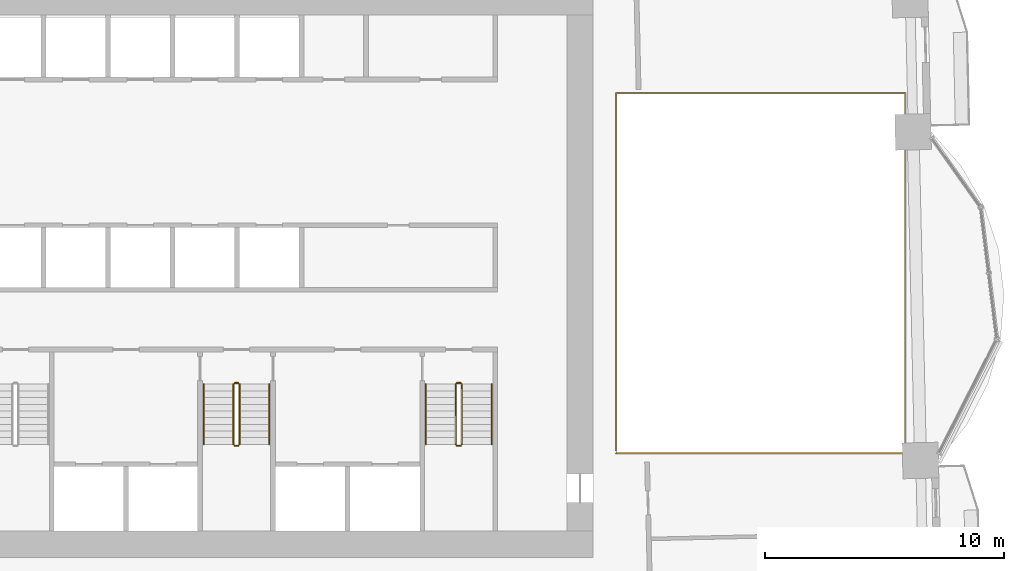
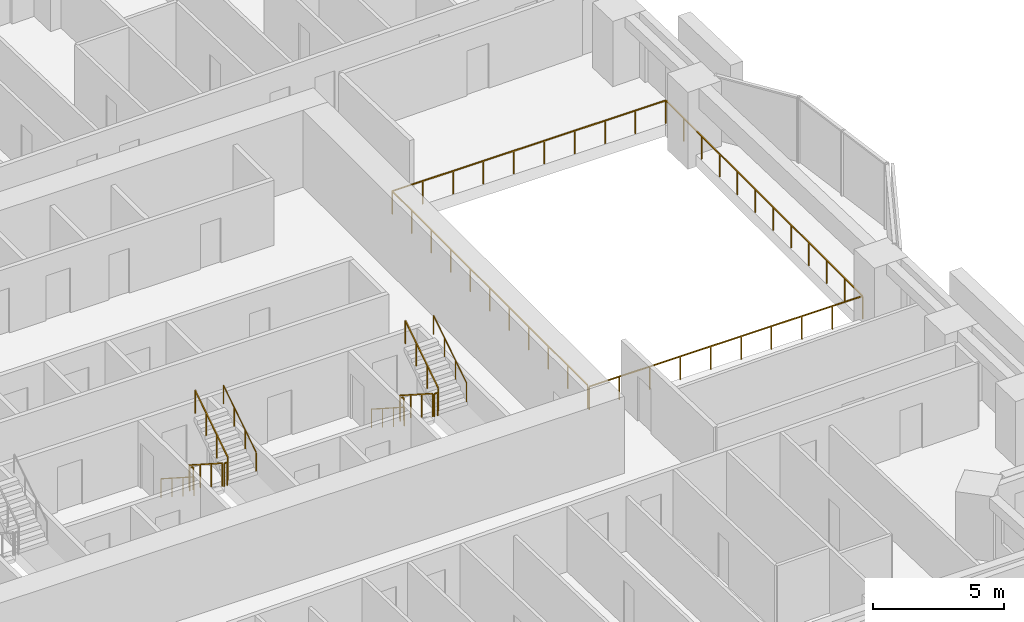
# One storey, part 15 of 16: 13 railings.
"""IFC4 building model written with IfcOpenShell, lengths in metres."""

from ifc_helpers import new_model, si_unit, direction, frame, origin, origin_2d, place, context, subcontext, project, spatial, rectangle, circle, extrude, material, type_object, element, save


model = new_model("IFC4")

# Units and contexts
model_context = context("Model", 3, precision=1e-05, world=origin(), true_north=direction((0.0, 1.0)))
body_context = subcontext(model_context, "Body", "Model", "MODEL_VIEW")
ifc_project = project(units=[si_unit("LENGTHUNIT", "METRE"), si_unit("AREAUNIT", "SQUARE_METRE"), si_unit("VOLUMEUNIT", "CUBIC_METRE"), si_unit("PLANEANGLEUNIT", "RADIAN"), si_unit("MASSUNIT", "GRAM", prefix="KILO")], contexts=[model_context])

# Site, building, storey
site_placement = place(None, origin())
site = spatial("IfcSite", under=ifc_project, at=site_placement, CompositionType="ELEMENT")
building_placement = place(site_placement, origin())
building = spatial("IfcBuilding", under=site, at=building_placement, Name="Mangrove Gate Tower", CompositionType="ELEMENT")
storey_placement = place(building_placement, frame((0.0, 0.0, 48.5)))
storey = spatial("IfcBuildingStorey", under=building, at=storey_placement, Name="L11", CompositionType="ELEMENT", Elevation=48.5)

# Railings
ifc_material_1 = material(Name="Stainless steel grade 316 with laminated glass infill", Category="steel")
railing_type_1 = type_object("IfcRailingType", Name="Balcony guard 1100", PredefinedType="GUARDRAIL", material=ifc_material_1)
railing_1_placement = place(storey_placement, frame((15.860107421875, -7.5400390625, 0.0)))
element("IfcRailing", 1, at=railing_1_placement, inside=storey, type_object=railing_type_1, Name="GUARD L11 atrium", PredefinedType="GUARDRAIL", context=body_context, shape_type="SweptSolid", body=[
    extrude(rectangle(XDim=0.048095703125, YDim=0.048095703125, at=origin_2d()), frame((0.0, 0.0, 1.076171875), z_axis=(1.0, 0.0, 0.0), x_axis=(0.0, 1.0, 0.0)), (0.0, 0.0, 1.0), 12.101806640625),
    extrude(rectangle(XDim=0.048095703125, YDim=0.048095703125, at=origin_2d()), frame((12.101806640625, 0.0, 1.076171875), z_axis=(0.0, 1.0, 0.0), x_axis=(-1.0, 0.0, 0.0)), (0.0, 0.0, 1.0), 15.080078125),
    extrude(rectangle(XDim=0.048095703125, YDim=0.048095703125, at=origin_2d()), frame((12.101806640625, 15.080078125, 1.076171875), z_axis=(-1.0, 0.0, 0.0), x_axis=(0.0, -1.0, 0.0)), (0.0, 0.0, 1.0), 12.101806640625),
    extrude(rectangle(XDim=0.048095703125, YDim=0.048095703125, at=origin_2d()), frame((0.0, 15.080078125, 1.076171875), z_axis=(0.0, -1.0, 0.0), x_axis=(1.0, 0.0, 0.0)), (0.0, 0.0, 1.0), 14.9599609375),
    extrude(rectangle(XDim=0.0419921875, YDim=0.0419921875, at=origin_2d()), origin(), (0.0, 0.0, 1.0), 1.052001953125),
    extrude(rectangle(XDim=0.0419921875, YDim=0.0419921875, at=origin_2d()), frame((1.3447265625, 0.0, 0.0)), (0.0, 0.0, 1.0), 1.052001953125),
    extrude(rectangle(XDim=0.0419921875, YDim=0.0419921875, at=origin_2d()), frame((2.689208984375, 0.0, 0.0)), (0.0, 0.0, 1.0), 1.052001953125),
    extrude(rectangle(XDim=0.0419921875, YDim=0.0419921875, at=origin_2d()), frame((4.033935546875, 0.0, 0.0)), (0.0, 0.0, 1.0), 1.052001953125),
    extrude(rectangle(XDim=0.0419921875, YDim=0.0419921875, at=origin_2d()), frame((5.378662109375, 0.0, 0.0)), (0.0, 0.0, 1.0), 1.052001953125),
    extrude(rectangle(XDim=0.0419921875, YDim=0.0419921875, at=origin_2d()), frame((6.72314453125, 0.0, 0.0)), (0.0, 0.0, 1.0), 1.052001953125),
    extrude(rectangle(XDim=0.0419921875, YDim=0.0419921875, at=origin_2d()), frame((8.06787109375, 0.0, 0.0)), (0.0, 0.0, 1.0), 1.052001953125),
    extrude(rectangle(XDim=0.0419921875, YDim=0.0419921875, at=origin_2d()), frame((9.41259765625, 0.0, 0.0)), (0.0, 0.0, 1.0), 1.052001953125),
    extrude(rectangle(XDim=0.0419921875, YDim=0.0419921875, at=origin_2d()), frame((10.757080078125, 0.0, 0.0)), (0.0, 0.0, 1.0), 1.052001953125),
    extrude(rectangle(XDim=0.0419921875, YDim=0.0419921875, at=origin_2d()), frame((12.101806640625, 0.0, 0.0)), (0.0, 0.0, 1.0), 1.052001953125),
    extrude(rectangle(XDim=0.0419921875, YDim=0.0419921875, at=origin_2d()), frame((12.101806640625, 1.370849609375, 0.0)), (0.0, 0.0, 1.0), 1.052001953125),
    extrude(rectangle(XDim=0.0419921875, YDim=0.0419921875, at=origin_2d()), frame((12.101806640625, 2.741943359375, 0.0)), (0.0, 0.0, 1.0), 1.052001953125),
    extrude(rectangle(XDim=0.0419921875, YDim=0.0419921875, at=origin_2d()), frame((12.101806640625, 4.11279296875, 0.0)), (0.0, 0.0, 1.0), 1.052001953125),
    extrude(rectangle(XDim=0.0419921875, YDim=0.0419921875, at=origin_2d()), frame((12.101806640625, 5.483642578125, 0.0)), (0.0, 0.0, 1.0), 1.052001953125),
    extrude(rectangle(XDim=0.0419921875, YDim=0.0419921875, at=origin_2d()), frame((12.101806640625, 6.8544921875, 0.0)), (0.0, 0.0, 1.0), 1.052001953125),
    extrude(rectangle(XDim=0.0419921875, YDim=0.0419921875, at=origin_2d()), frame((12.101806640625, 8.2255859375, 0.0)), (0.0, 0.0, 1.0), 1.052001953125),
    extrude(rectangle(XDim=0.0419921875, YDim=0.0419921875, at=origin_2d()), frame((12.101806640625, 9.596435546875, 0.0)), (0.0, 0.0, 1.0), 1.052001953125),
    extrude(rectangle(XDim=0.0419921875, YDim=0.0419921875, at=origin_2d()), frame((12.101806640625, 10.96728515625, 0.0)), (0.0, 0.0, 1.0), 1.052001953125),
    extrude(rectangle(XDim=0.0419921875, YDim=0.0419921875, at=origin_2d()), frame((12.101806640625, 12.338134765625, 0.0)), (0.0, 0.0, 1.0), 1.052001953125),
    extrude(rectangle(XDim=0.0419921875, YDim=0.0419921875, at=origin_2d()), frame((12.101806640625, 13.709228515625, 0.0)), (0.0, 0.0, 1.0), 1.052001953125),
    extrude(rectangle(XDim=0.0419921875, YDim=0.0419921875, at=origin_2d()), frame((12.101806640625, 15.080078125, 0.0)), (0.0, 0.0, 1.0), 1.052001953125),
    extrude(rectangle(XDim=0.0419921875, YDim=0.0419921875, at=origin_2d()), frame((10.757080078125, 15.080078125, 0.0)), (0.0, 0.0, 1.0), 1.052001953125),
    extrude(rectangle(XDim=0.0419921875, YDim=0.0419921875, at=origin_2d()), frame((9.41259765625, 15.080078125, 0.0)), (0.0, 0.0, 1.0), 1.052001953125),
    extrude(rectangle(XDim=0.0419921875, YDim=0.0419921875, at=origin_2d()), frame((8.06787109375, 15.080078125, 0.0)), (0.0, 0.0, 1.0), 1.052001953125),
    extrude(rectangle(XDim=0.0419921875, YDim=0.0419921875, at=origin_2d()), frame((6.72314453125, 15.080078125, 0.0)), (0.0, 0.0, 1.0), 1.052001953125),
    extrude(rectangle(XDim=0.0419921875, YDim=0.0419921875, at=origin_2d()), frame((5.378662109375, 15.080078125, 0.0)), (0.0, 0.0, 1.0), 1.052001953125),
    extrude(rectangle(XDim=0.0419921875, YDim=0.0419921875, at=origin_2d()), frame((4.033935546875, 15.080078125, 0.0)), (0.0, 0.0, 1.0), 1.052001953125),
    extrude(rectangle(XDim=0.0419921875, YDim=0.0419921875, at=origin_2d()), frame((2.689208984375, 15.080078125, 0.0)), (0.0, 0.0, 1.0), 1.052001953125),
    extrude(rectangle(XDim=0.0419921875, YDim=0.0419921875, at=origin_2d()), frame((1.3447265625, 15.080078125, 0.0)), (0.0, 0.0, 1.0), 1.052001953125),
    extrude(rectangle(XDim=0.0419921875, YDim=0.0419921875, at=origin_2d()), frame((0.0, 15.080078125, 0.0)), (0.0, 0.0, 1.0), 1.052001953125),
    extrude(rectangle(XDim=0.0419921875, YDim=0.0419921875, at=origin_2d()), frame((0.0, 13.583984375, 0.0)), (0.0, 0.0, 1.0), 1.052001953125),
    extrude(rectangle(XDim=0.0419921875, YDim=0.0419921875, at=origin_2d()), frame((0.0, 12.088134765625, 0.0)), (0.0, 0.0, 1.0), 1.052001953125),
    extrude(rectangle(XDim=0.0419921875, YDim=0.0419921875, at=origin_2d()), frame((0.0, 10.592041015625, 0.0)), (0.0, 0.0, 1.0), 1.052001953125),
    extrude(rectangle(XDim=0.0419921875, YDim=0.0419921875, at=origin_2d()), frame((0.0, 9.09619140625, 0.0)), (0.0, 0.0, 1.0), 1.052001953125),
    extrude(rectangle(XDim=0.0419921875, YDim=0.0419921875, at=origin_2d()), frame((0.0, 7.60009765625, 0.0)), (0.0, 0.0, 1.0), 1.052001953125),
    extrude(rectangle(XDim=0.0419921875, YDim=0.0419921875, at=origin_2d()), frame((0.0, 6.10400390625, 0.0)), (0.0, 0.0, 1.0), 1.052001953125),
    extrude(rectangle(XDim=0.0419921875, YDim=0.0419921875, at=origin_2d()), frame((0.0, 4.608154296875, 0.0)), (0.0, 0.0, 1.0), 1.052001953125),
    extrude(rectangle(XDim=0.0419921875, YDim=0.0419921875, at=origin_2d()), frame((0.0, 3.112060546875, 0.0)), (0.0, 0.0, 1.0), 1.052001953125),
    extrude(rectangle(XDim=0.0419921875, YDim=0.0419921875, at=origin_2d()), frame((0.0, 1.6162109375, 0.0)), (0.0, 0.0, 1.0), 1.052001953125),
    extrude(rectangle(XDim=0.0419921875, YDim=0.0419921875, at=origin_2d()), frame((0.0, 0.1201171875, 0.0)), (0.0, 0.0, 1.0), 1.052001953125),
])
ifc_material_2 = material(Name="Stainless steel 316", Category="steel")
railing_type_2 = type_object("IfcRailingType", Name="Core stair guard 1100", PredefinedType="GUARDRAIL", material=ifc_material_2)
railing_2_placement = place(storey_placement, frame((-0.14990234375, -4.64990234375, 0.179931640625)))
element("IfcRailing", 2, at=railing_2_placement, inside=storey, type_object=railing_type_2, Name="L11 ST2 stair guard 1", PredefinedType="GUARDRAIL", context=body_context, shape_type="SweptSolid", body=[
    extrude(rectangle(XDim=0.048095703125, YDim=0.048095703125, at=origin_2d()), frame((0.0, 0.0, 1.076171875), z_axis=(0.0, -0.841162588446, 0.540782303519), x_axis=(1.0, 0.0, 0.0)), (0.0, 0.0, 1.0), 2.995849609375),
    extrude(rectangle(XDim=0.0419921875, YDim=0.0419921875, at=origin_2d()), origin(), (0.0, 0.0, 1.0), 1.052001953125),
    extrude(rectangle(XDim=0.0419921875, YDim=0.0419921875, at=origin_2d()), frame((0.0, -0.840087890625, 0.5400390625)), (0.0, 0.0, 1.0), 1.052001953125),
    extrude(rectangle(XDim=0.0419921875, YDim=0.0419921875, at=origin_2d()), frame((0.0, -1.679931640625, 1.080078125)), (0.0, 0.0, 1.0), 1.052001953125),
    extrude(rectangle(XDim=0.0419921875, YDim=0.0419921875, at=origin_2d()), frame((0.0, -2.52001953125, 1.6201171875)), (0.0, 0.0, 1.0), 1.052001953125),
])
railing_3_placement = place(storey_placement, frame((-0.10009765625, -7.219970703125, 1.800048828125)))
element("IfcRailing", 3, at=railing_3_placement, inside=storey, type_object=railing_type_2, Name="L11 ST2 stair guard 2", PredefinedType="GUARDRAIL", context=body_context, shape_type="SweptSolid", body=[
    extrude(rectangle(XDim=0.048095703125, YDim=0.048095703125, at=origin_2d()), frame((0.0, 0.0, 1.076171875), z_axis=(1.0, 0.0, 0.0), x_axis=(0.0, 1.0, 0.0)), (0.0, 0.0, 1.0), 0.150146484375),
    extrude(rectangle(XDim=0.0419921875, YDim=0.0419921875, at=origin_2d()), origin(), (0.0, 0.0, 1.0), 1.052001953125),
    extrude(rectangle(XDim=0.0419921875, YDim=0.0419921875, at=origin_2d()), frame((0.150146484375, 0.0, 0.0)), (0.0, 0.0, 1.0), 1.052001953125),
])
railing_4_placement = place(storey_placement, frame((0.10009765625, -7.169921875, 1.97998046875)))
element("IfcRailing", 4, at=railing_4_placement, inside=storey, type_object=railing_type_2, Name="L11 ST2 stair guard 3", PredefinedType="GUARDRAIL", context=body_context, shape_type="SweptSolid", body=[
    extrude(rectangle(XDim=0.048095703125, YDim=0.048095703125, at=origin_2d()), frame((0.0, 0.0, 1.076171875), z_axis=(0.0, 0.841162588446, 0.540782303519), x_axis=(-1.0, 0.0, 0.0)), (0.0, 0.0, 1.0), 2.995849609375),
    extrude(rectangle(XDim=0.0419921875, YDim=0.0419921875, at=origin_2d()), origin(), (0.0, 0.0, 1.0), 1.052001953125),
    extrude(rectangle(XDim=0.0419921875, YDim=0.0419921875, at=origin_2d()), frame((0.0, 0.840087890625, 0.5400390625)), (0.0, 0.0, 1.0), 1.052001953125),
    extrude(rectangle(XDim=0.0419921875, YDim=0.0419921875, at=origin_2d()), frame((0.0, 1.679931640625, 1.080078125)), (0.0, 0.0, 1.0), 1.052001953125),
    extrude(rectangle(XDim=0.0419921875, YDim=0.0419921875, at=origin_2d()), frame((0.0, 2.52001953125, 1.6201171875)), (0.0, 0.0, 1.0), 1.052001953125),
])
railing_5_placement = place(storey_placement, frame((-0.10009765625, -4.60009765625, 0.0)))
element("IfcRailing", 5, at=railing_5_placement, inside=storey, type_object=railing_type_2, Name="L11 ST2 stair guard 4", PredefinedType="GUARDRAIL", context=body_context, shape_type="SweptSolid", body=[
    extrude(rectangle(XDim=0.048095703125, YDim=0.048095703125, at=origin_2d()), frame((0.0, 0.0, 1.076171875), z_axis=(1.0, 0.0, 0.0), x_axis=(0.0, 1.0, 0.0)), (0.0, 0.0, 1.0), 0.150146484375),
    extrude(rectangle(XDim=0.0419921875, YDim=0.0419921875, at=origin_2d()), origin(), (0.0, 0.0, 1.0), 1.052001953125),
    extrude(rectangle(XDim=0.0419921875, YDim=0.0419921875, at=origin_2d()), frame((0.150146484375, 0.0, 0.0)), (0.0, 0.0, 1.0), 1.052001953125),
])
railing_6_placement = place(storey_placement, frame((9.14990234375, -4.64990234375, 0.179931640625)))
element("IfcRailing", 6, at=railing_6_placement, inside=storey, type_object=railing_type_2, Name="L11 ST3 stair guard 1", PredefinedType="GUARDRAIL", context=body_context, shape_type="SweptSolid", body=[
    extrude(rectangle(XDim=0.048095703125, YDim=0.048095703125, at=origin_2d()), frame((0.0, 0.0, 1.076171875), z_axis=(0.0, -0.841162588446, 0.540782303519), x_axis=(1.0, 0.0, 0.0)), (0.0, 0.0, 1.0), 2.995849609375),
    extrude(rectangle(XDim=0.0419921875, YDim=0.0419921875, at=origin_2d()), origin(), (0.0, 0.0, 1.0), 1.052001953125),
    extrude(rectangle(XDim=0.0419921875, YDim=0.0419921875, at=origin_2d()), frame((0.0, -0.840087890625, 0.5400390625)), (0.0, 0.0, 1.0), 1.052001953125),
    extrude(rectangle(XDim=0.0419921875, YDim=0.0419921875, at=origin_2d()), frame((0.0, -1.679931640625, 1.080078125)), (0.0, 0.0, 1.0), 1.052001953125),
    extrude(rectangle(XDim=0.0419921875, YDim=0.0419921875, at=origin_2d()), frame((0.0, -2.52001953125, 1.6201171875)), (0.0, 0.0, 1.0), 1.052001953125),
])
railing_7_placement = place(storey_placement, frame((9.199951171875, -7.219970703125, 1.800048828125)))
element("IfcRailing", 7, at=railing_7_placement, inside=storey, type_object=railing_type_2, Name="L11 ST3 stair guard 2", PredefinedType="GUARDRAIL", context=body_context, shape_type="SweptSolid", body=[
    extrude(rectangle(XDim=0.048095703125, YDim=0.048095703125, at=origin_2d()), frame((0.0, 0.0, 1.076171875), z_axis=(1.0, 0.0, 0.0), x_axis=(0.0, 1.0, 0.0)), (0.0, 0.0, 1.0), 0.150146484375),
    extrude(rectangle(XDim=0.0419921875, YDim=0.0419921875, at=origin_2d()), origin(), (0.0, 0.0, 1.0), 1.052001953125),
    extrude(rectangle(XDim=0.0419921875, YDim=0.0419921875, at=origin_2d()), frame((0.150146484375, 0.0, 0.0)), (0.0, 0.0, 1.0), 1.052001953125),
])
railing_8_placement = place(storey_placement, frame((9.39990234375, -7.169921875, 1.97998046875)))
element("IfcRailing", 8, at=railing_8_placement, inside=storey, type_object=railing_type_2, Name="L11 ST3 stair guard 3", PredefinedType="GUARDRAIL", context=body_context, shape_type="SweptSolid", body=[
    extrude(rectangle(XDim=0.048095703125, YDim=0.048095703125, at=origin_2d()), frame((0.0, 0.0, 1.076171875), z_axis=(0.0, 0.841162588446, 0.540782303519), x_axis=(-1.0, 0.0, 0.0)), (0.0, 0.0, 1.0), 2.995849609375),
    extrude(rectangle(XDim=0.0419921875, YDim=0.0419921875, at=origin_2d()), origin(), (0.0, 0.0, 1.0), 1.052001953125),
    extrude(rectangle(XDim=0.0419921875, YDim=0.0419921875, at=origin_2d()), frame((0.0, 0.840087890625, 0.5400390625)), (0.0, 0.0, 1.0), 1.052001953125),
    extrude(rectangle(XDim=0.0419921875, YDim=0.0419921875, at=origin_2d()), frame((0.0, 1.679931640625, 1.080078125)), (0.0, 0.0, 1.0), 1.052001953125),
    extrude(rectangle(XDim=0.0419921875, YDim=0.0419921875, at=origin_2d()), frame((0.0, 2.52001953125, 1.6201171875)), (0.0, 0.0, 1.0), 1.052001953125),
])
railing_9_placement = place(storey_placement, frame((9.199951171875, -4.60009765625, 0.0)))
element("IfcRailing", 9, at=railing_9_placement, inside=storey, type_object=railing_type_2, Name="L11 ST3 stair guard 4", PredefinedType="GUARDRAIL", context=body_context, shape_type="SweptSolid", body=[
    extrude(rectangle(XDim=0.048095703125, YDim=0.048095703125, at=origin_2d()), frame((0.0, 0.0, 1.076171875), z_axis=(1.0, 0.0, 0.0), x_axis=(0.0, 1.0, 0.0)), (0.0, 0.0, 1.0), 0.150146484375),
    extrude(rectangle(XDim=0.0419921875, YDim=0.0419921875, at=origin_2d()), origin(), (0.0, 0.0, 1.0), 1.052001953125),
    extrude(rectangle(XDim=0.0419921875, YDim=0.0419921875, at=origin_2d()), frame((0.150146484375, 0.0, 0.0)), (0.0, 0.0, 1.0), 1.052001953125),
])
ifc_material_3 = material(Name="Stainless steel 316", Category="steel")
railing_type_3 = type_object("IfcRailingType", Name="Core stair handrail 900", PredefinedType="HANDRAIL", material=ifc_material_3)
railing_10_placement = place(storey_placement, frame((-1.39990234375, -4.64990234375, 0.179931640625)))
element("IfcRailing", 10, at=railing_10_placement, inside=storey, type_object=railing_type_3, Name="L11 ST2 stair handrail 1", PredefinedType="HANDRAIL", context=body_context, shape_type="SweptSolid", body=[
    extrude(circle(Radius=0.02392578125, at=origin_2d()), frame((0.0, 0.0, 0.8759765625), z_axis=(0.0, -0.841162588446, 0.540782303519), x_axis=(1.0, 0.0, 0.0)), (0.0, 0.0, 1.0), 2.995849609375),
    extrude(circle(Radius=0.02099609375, at=origin_2d()), origin(), (0.0, 0.0, 1.0), 0.851806640625),
    extrude(circle(Radius=0.02099609375, at=origin_2d()), frame((0.0, -0.840087890625, 0.5400390625)), (0.0, 0.0, 1.0), 0.851806640625),
    extrude(circle(Radius=0.02099609375, at=origin_2d()), frame((0.0, -1.679931640625, 1.080078125)), (0.0, 0.0, 1.0), 0.851806640625),
    extrude(circle(Radius=0.02099609375, at=origin_2d()), frame((0.0, -2.52001953125, 1.6201171875)), (0.0, 0.0, 1.0), 0.851806640625),
])
railing_11_placement = place(storey_placement, frame((1.35009765625, -7.169921875, 1.97998046875)))
element("IfcRailing", 11, at=railing_11_placement, inside=storey, type_object=railing_type_3, Name="L11 ST2 stair handrail 2", PredefinedType="HANDRAIL", context=body_context, shape_type="SweptSolid", body=[
    extrude(circle(Radius=0.02392578125, at=origin_2d()), frame((0.0, 0.0, 0.8759765625), z_axis=(0.0, 0.841162588446, 0.540782303519), x_axis=(-1.0, 0.0, 0.0)), (0.0, 0.0, 1.0), 2.995849609375),
    extrude(circle(Radius=0.02099609375, at=origin_2d()), origin(), (0.0, 0.0, 1.0), 0.851806640625),
    extrude(circle(Radius=0.02099609375, at=origin_2d()), frame((0.0, 0.840087890625, 0.5400390625)), (0.0, 0.0, 1.0), 0.851806640625),
    extrude(circle(Radius=0.02099609375, at=origin_2d()), frame((0.0, 1.679931640625, 1.080078125)), (0.0, 0.0, 1.0), 0.851806640625),
    extrude(circle(Radius=0.02099609375, at=origin_2d()), frame((0.0, 2.52001953125, 1.6201171875)), (0.0, 0.0, 1.0), 0.851806640625),
])
railing_12_placement = place(storey_placement, frame((7.89990234375, -4.64990234375, 0.179931640625)))
element("IfcRailing", 12, at=railing_12_placement, inside=storey, type_object=railing_type_3, Name="L11 ST3 stair handrail 1", PredefinedType="HANDRAIL", context=body_context, shape_type="SweptSolid", body=[
    extrude(circle(Radius=0.02392578125, at=origin_2d()), frame((0.0, 0.0, 0.8759765625), z_axis=(0.0, -0.841162588446, 0.540782303519), x_axis=(1.0, 0.0, 0.0)), (0.0, 0.0, 1.0), 2.995849609375),
    extrude(circle(Radius=0.02099609375, at=origin_2d()), origin(), (0.0, 0.0, 1.0), 0.851806640625),
    extrude(circle(Radius=0.02099609375, at=origin_2d()), frame((0.0, -0.840087890625, 0.5400390625)), (0.0, 0.0, 1.0), 0.851806640625),
    extrude(circle(Radius=0.02099609375, at=origin_2d()), frame((0.0, -1.679931640625, 1.080078125)), (0.0, 0.0, 1.0), 0.851806640625),
    extrude(circle(Radius=0.02099609375, at=origin_2d()), frame((0.0, -2.52001953125, 1.6201171875)), (0.0, 0.0, 1.0), 0.851806640625),
])
railing_13_placement = place(storey_placement, frame((10.64990234375, -7.169921875, 1.97998046875)))
element("IfcRailing", 13, at=railing_13_placement, inside=storey, type_object=railing_type_3, Name="L11 ST3 stair handrail 2", PredefinedType="HANDRAIL", context=body_context, shape_type="SweptSolid", body=[
    extrude(circle(Radius=0.02392578125, at=origin_2d()), frame((0.0, 0.0, 0.8759765625), z_axis=(0.0, 0.841162588446, 0.540782303519), x_axis=(-1.0, 0.0, 0.0)), (0.0, 0.0, 1.0), 2.995849609375),
    extrude(circle(Radius=0.02099609375, at=origin_2d()), origin(), (0.0, 0.0, 1.0), 0.851806640625),
    extrude(circle(Radius=0.02099609375, at=origin_2d()), frame((0.0, 0.840087890625, 0.5400390625)), (0.0, 0.0, 1.0), 0.851806640625),
    extrude(circle(Radius=0.02099609375, at=origin_2d()), frame((0.0, 1.679931640625, 1.080078125)), (0.0, 0.0, 1.0), 0.851806640625),
    extrude(circle(Radius=0.02099609375, at=origin_2d()), frame((0.0, 2.52001953125, 1.6201171875)), (0.0, 0.0, 1.0), 0.851806640625),
])

save(model, "model.ifc")
